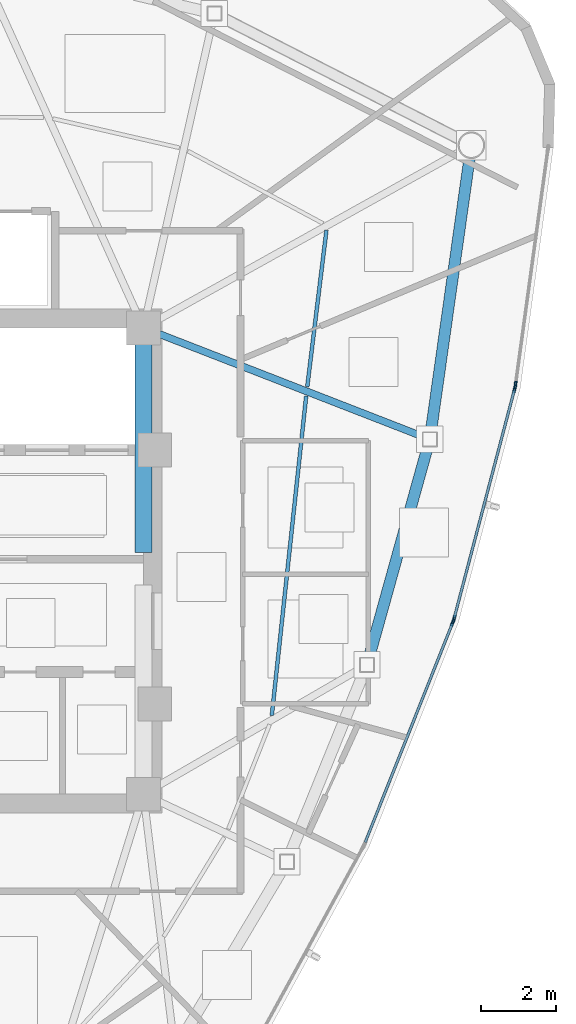
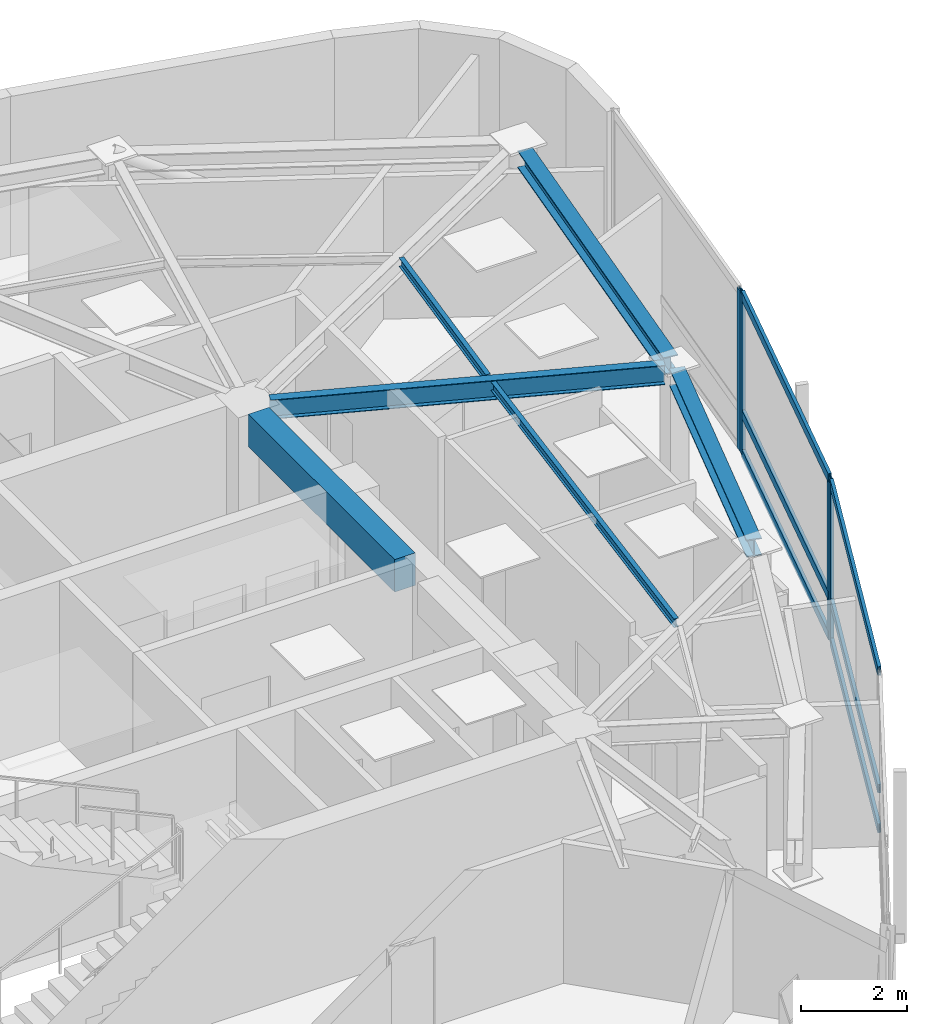
# One storey, part 4 of 12: 10 members, 6 beams, 3 elements without a shape of their own.
"""IFC4 building model written with IfcOpenShell, lengths in metres."""

import ifcopenshell
import ifcopenshell.guid

model = None  # the IFC model being written
_history = None  # IfcOwnerHistory: only IFC2X3 demands one
_inside = {}  # id of a spatial element -> (the spatial element, [elements in it])
_under = {}  # id of a project, library or spatial element -> (it, [spatial elements below it])
_declared = {}  # id of a project -> (the project, [libraries it declares])
_typed = {}  # id of a type object -> (the type object, [elements of that type])
_made_of = {}  # id of a material, layer set ... -> (it, [elements and type objects made of it])


def new_model(schema):
    """Start an empty IFC model of exactly this schema.

    Asked for "IFC4X3", IfcOpenShell would pick the latest addendum, in which some entities
    have other attributes; the version numbers below select the first issue.
    IFC2X3 requires an IfcOwnerHistory on every rooted entity: one is made here for all.
    """
    global model, _history
    if schema == "IFC4X3":
        model = ifcopenshell.file(schema_version=(4, 3, 0, 0))
    else:
        model = ifcopenshell.file(schema=schema)
    _inside.clear()
    _under.clear()
    _declared.clear()
    _typed.clear()
    _made_of.clear()
    _history = None
    if model.schema == "IFC2X3":
        org = make("IfcOrganization", Name="unknown")
        user = make(
            "IfcPersonAndOrganization",
            ThePerson=make("IfcPerson", FamilyName="unknown"),
            TheOrganization=org,
        )
        app = make(
            "IfcApplication",
            ApplicationDeveloper=org,
            Version="unknown",
            ApplicationFullName="unknown",
            ApplicationIdentifier="unknown",
        )
        _history = make(
            "IfcOwnerHistory",
            OwningUser=user,
            OwningApplication=app,
            ChangeAction="ADDED",
            CreationDate=0,
        )
    return model


def make(cls, **values):
    """One entity of the class cls with the attributes given. An attribute that is None is left unset."""
    return model.create_entity(
        cls, **{name: value for name, value in values.items() if value is not None}
    )


def rooted(cls, **values):
    """An entity with a GlobalId (a new one), such as an element, a storey or a relation."""
    return make(cls, GlobalId=ifcopenshell.guid.new(), OwnerHistory=_history, **values)


def si_unit(unit_type, name, prefix=None):
    """IfcSIUnit, for example si_unit("LENGTHUNIT", "METRE", prefix="MILLI")."""
    return make("IfcSIUnit", UnitType=unit_type, Prefix=prefix, Name=name)


def assignment(units):
    """IfcUnitAssignment: the units of a project."""
    return None if units is None else make("IfcUnitAssignment", Units=units)


def point(xyz):
    """IfcCartesianPoint."""
    return None if xyz is None else make("IfcCartesianPoint", Coordinates=xyz)


def direction(xyz):
    """IfcDirection."""
    return None if xyz is None else make("IfcDirection", DirectionRatios=xyz)


def frame(location, z_axis=None, x_axis=None):
    """IfcAxis2Placement3D, a coordinate frame: its origin and axes. An axis left out is left unset."""
    return make(
        "IfcAxis2Placement3D",
        Location=point(location),
        Axis=direction(z_axis),
        RefDirection=direction(x_axis),
    )


def frame_2d(location, x_axis=None):
    """IfcAxis2Placement2D, a coordinate frame in the plane: its origin and x axis."""
    return make(
        "IfcAxis2Placement2D", Location=point(location), RefDirection=direction(x_axis)
    )


def origin():
    """The frame at (0, 0, 0) with its axes left unset."""
    return frame((0.0, 0.0, 0.0))


def origin_2d():
    """The frame at (0, 0) in the plane with its x axis left unset."""
    return frame_2d((0.0, 0.0))


def place(relative_to, where):
    """IfcLocalPlacement: puts the frame where relative to a parent placement (None: the world)."""
    return make(
        "IfcLocalPlacement", PlacementRelTo=relative_to, RelativePlacement=where
    )


def context(
    kind, dimensions, precision=None, world=None, true_north=None, identifier=None
):
    """IfcGeometricRepresentationContext, for example the 3D "Model" context."""
    return make(
        "IfcGeometricRepresentationContext",
        ContextIdentifier=identifier,
        ContextType=kind,
        CoordinateSpaceDimension=dimensions,
        Precision=precision,
        WorldCoordinateSystem=world,
        TrueNorth=true_north,
    )


def subcontext(parent, identifier, kind, view, scale=None):
    """IfcGeometricRepresentationSubContext, for example "Body" below "Model"."""
    return make(
        "IfcGeometricRepresentationSubContext",
        ContextIdentifier=identifier,
        ContextType=kind,
        ParentContext=parent,
        TargetScale=scale,
        TargetView=view,
    )


def project(units=None, contexts=None):
    """IfcProject with its units and contexts."""
    return rooted(
        "IfcProject",
        Name="project",
        RepresentationContexts=contexts,
        UnitsInContext=assignment(units),
    )


def spatial(cls, under=None, at=None, **own):
    """A site, building, storey or space (cls), placed at a placement, below another one or the project."""
    s = rooted(cls, ObjectPlacement=at, **own)
    if under is not None:
        _under.setdefault(under.id(), (under, []))[1].append(s)
    return s


def profile(cls, at=None, kind="AREA", **sizes):
    """A parametric profile (cls). Its sizes go by their IFC names, for example OverallWidth=200.0."""
    return make(cls, ProfileType=kind, Position=at, **sizes)


def rectangle(**sizes):
    """IfcRectangleProfileDef."""
    return profile("IfcRectangleProfileDef", **sizes)


def hollow_rectangle(**sizes):
    """IfcRectangleHollowProfileDef."""
    return profile("IfcRectangleHollowProfileDef", **sizes)


def i_section(**sizes):
    """IfcIShapeProfileDef."""
    return profile("IfcIShapeProfileDef", **sizes)


def extrude(swept, where, along, depth):
    """IfcExtrudedAreaSolid: the profile swept, set in the frame where, extruded along a direction by depth."""
    return make(
        "IfcExtrudedAreaSolid",
        SweptArea=swept,
        Position=where,
        ExtrudedDirection=direction(along),
        Depth=depth,
    )


def shape(context_of_items, identifier, shape_type, items):
    """IfcShapeRepresentation: the items that make up one representation, for example the "Body"."""
    return make(
        "IfcShapeRepresentation",
        ContextOfItems=context_of_items,
        RepresentationIdentifier=identifier,
        RepresentationType=shape_type,
        Items=items,
    )


def source(mapping_origin, context_of_items, identifier, shape_type, items):
    """IfcRepresentationMap: a shape defined once, which mapped items show again and again."""
    return make(
        "IfcRepresentationMap",
        MappingOrigin=mapping_origin,
        MappedRepresentation=shape(context_of_items, identifier, shape_type, items),
    )


def transform(
    local_origin,
    x_axis=None,
    y_axis=None,
    z_axis=None,
    scale=None,
    scale2=None,
    scale3=None,
    uniform=True,
):
    """IfcCartesianTransformationOperator3D, or its non-uniform kind. x_axis, y_axis, z_axis: its Axis1, 2, 3."""
    if uniform:
        return make(
            "IfcCartesianTransformationOperator3D",
            Axis1=direction(x_axis),
            Axis2=direction(y_axis),
            LocalOrigin=point(local_origin),
            Scale=scale,
            Axis3=direction(z_axis),
        )
    return make(
        "IfcCartesianTransformationOperator3DnonUniform",
        Axis1=direction(x_axis),
        Axis2=direction(y_axis),
        LocalOrigin=point(local_origin),
        Scale=scale,
        Axis3=direction(z_axis),
        Scale2=scale2,
        Scale3=scale3,
    )


def mapped(mapping_source, mapping_target):
    """IfcMappedItem: shows the shape of a source again, moved by a transform."""
    return make(
        "IfcMappedItem", MappingSource=mapping_source, MappingTarget=mapping_target
    )


def material(Name=None, Category=None):
    """IfcMaterial."""
    return make("IfcMaterial", Name=Name, Category=Category)


def layer(
    of_material, thickness, ventilated=None, Name=None, Category=None, Priority=None
):
    """IfcMaterialLayer: one layer of a wall or slab, of a material (None: an air gap)."""
    return make(
        "IfcMaterialLayer",
        Material=of_material,
        LayerThickness=thickness,
        IsVentilated=ventilated,
        Name=Name,
        Category=Category,
        Priority=Priority,
    )


def layer_set(layers, Name=None):
    """IfcMaterialLayerSet."""
    return make("IfcMaterialLayerSet", MaterialLayers=layers, LayerSetName=Name)


def material_profile(
    of_material, cross_section, Name=None, Category=None, Priority=None
):
    """IfcMaterialProfile: a cross section and its material."""
    return make(
        "IfcMaterialProfile",
        Name=Name,
        Material=of_material,
        Profile=cross_section,
        Priority=Priority,
        Category=Category,
    )


def profile_set(profiles, Name=None, composite=None):
    """IfcMaterialProfileSet."""
    return make(
        "IfcMaterialProfileSet",
        Name=Name,
        MaterialProfiles=profiles,
        CompositeProfile=composite,
    )


def made_of(thing, what):
    """Note that an element or type object is made of a material, layer set ...; save() writes the relation."""
    if what is not None:
        _made_of.setdefault(what.id(), (what, []))[1].append(thing)
    return thing


def type_object(cls, material=None, **own):
    """A type object (cls), such as IfcWallType, which elements share."""
    return made_of(rooted(cls, **own), material)


def type_shapes(of_type, sources):
    """Give a type object the sources (RepresentationMaps) that its elements show as mapped items."""
    of_type.RepresentationMaps = sources


def element(
    cls,
    number,
    at=None,
    inside=None,
    cuts=None,
    type_object=None,
    material=None,
    context=None,
    identifier="Body",
    shape_type=None,
    held_by="IfcProductDefinitionShape",
    body=None,
    shapes=None,
    **own,
):
    """One element of the class cls, such as IfcWall. Its Tag is "e" and its number.

    at: its placement. inside: the storey or other place that contains it. cuts: it is an
    opening in that element (IfcRelVoidsElement). A single representation is given by context,
    identifier, shape_type and body (its items); several are given by shapes. held_by: the class
    of the entity that holds the representations. save() writes the other relations.
    """
    e = rooted(cls, Tag="e%d" % number, ObjectPlacement=at, **own)
    if body is not None:
        shapes = [shape(context, identifier, shape_type, body)]
    if shapes is not None:
        e.Representation = make(held_by, Representations=shapes)
    if inside is not None:
        _inside.setdefault(inside.id(), (inside, []))[1].append(e)
    if cuts is not None:
        rooted(
            "IfcRelVoidsElement", RelatingBuildingElement=cuts, RelatedOpeningElement=e
        )
    if type_object is not None:
        _typed.setdefault(type_object.id(), (type_object, []))[1].append(e)
    return made_of(e, material)


def aggregate(whole, parts):
    """IfcRelAggregates: a whole, such as a stair, and the parts it consists of."""
    return rooted("IfcRelAggregates", RelatingObject=whole, RelatedObjects=parts)


def save(model, path):
    """Write the relations noted so far, then the file.

    IfcRelAggregates (storeys below a building ...), IfcRelContainedInSpatialStructure (elements
    in a storey), IfcRelDefinesByType, IfcRelAssociatesMaterial and IfcRelDeclares: one each for
    every whole, place, type object, material and project.
    """
    for whole, parts in _under.values():
        aggregate(whole, parts)
    for where, things in _inside.values():
        rooted(
            "IfcRelContainedInSpatialStructure",
            RelatedElements=things,
            RelatingStructure=where,
        )
    for kind, things in _typed.values():
        rooted("IfcRelDefinesByType", RelatedObjects=things, RelatingType=kind)
    for what, things in _made_of.values():
        rooted("IfcRelAssociatesMaterial", RelatedObjects=things, RelatingMaterial=what)
    for by, libraries in _declared.values():
        rooted("IfcRelDeclares", RelatingContext=by, RelatedDefinitions=libraries)
    model.write(path)


model = new_model("IFC4")

# Units and contexts
model_context = context("Model", 3, precision=1e-05, world=origin(), true_north=direction((0.0, 1.0)))
body_context = subcontext(model_context, "Body", "Model", "MODEL_VIEW")
ifc_project = project(units=[si_unit("LENGTHUNIT", "METRE"), si_unit("AREAUNIT", "SQUARE_METRE"), si_unit("VOLUMEUNIT", "CUBIC_METRE"), si_unit("PLANEANGLEUNIT", "RADIAN"), si_unit("MASSUNIT", "GRAM", prefix="KILO")], contexts=[model_context])

# Site, building, storey
site_placement = place(None, origin())
site = spatial("IfcSite", under=ifc_project, at=site_placement, CompositionType="ELEMENT")
building_placement = place(site_placement, origin())
building = spatial("IfcBuilding", under=site, at=building_placement, Name="Tavelor Broadcast Tower", CompositionType="ELEMENT")
storey_placement = place(building_placement, frame((0.0, 0.0, 317.5)))
storey = spatial("IfcBuildingStorey", under=building, at=storey_placement, Name="L76", CompositionType="ELEMENT", Elevation=317.5)

# Beams
ifc_material_1 = material(Name="Concrete C40/50", Category="concrete")
ifc_material_profile_1 = material_profile(ifc_material_1, rectangle(XDim=0.449951171875, YDim=0.75, at=origin_2d()), Name="RC 450x750")
ifc_profile_set_1 = profile_set([ifc_material_profile_1], Name="Concrete C40/50")
beam_type_1 = type_object("IfcBeamType", Name="Basement Core Trim Beam 450x750", PredefinedType="BEAM", material=ifc_profile_set_1)
beam_1_placement = place(storey_placement, frame((56.60009765625, 45.23193359375, 3.324951171875), z_axis=(0.0, 1.0, 0.0), x_axis=(-1.0, 0.0, 0.0)))
element("IfcBeam", 1, at=beam_1_placement, inside=storey, type_object=beam_type_1, Name="L76 Core East-N Tie Girder", PredefinedType="BEAM", context=body_context, shape_type="SweptSolid", body=[
    extrude(rectangle(XDim=0.449951171875, YDim=0.75, at=origin_2d()), origin(), (0.0, 0.0, 1.0), 5.5361328125),
])
ifc_material_2 = material(Name="Steel S355", Category="steel")
ifc_material_profile_2 = material_profile(ifc_material_2, i_section(OverallWidth=0.10009765625, OverallDepth=0.199951171875, WebThickness=0.005615234375, FlangeThickness=0.008544921875, at=origin_2d()), Name="IPE 200")
ifc_profile_set_2 = profile_set([ifc_material_profile_2], Name="Steel S355")
beam_type_2 = type_object("IfcBeamType", Name="Composite Floor Joist T8 IPE 200", PredefinedType="JOIST", material=ifc_profile_set_2)
beam_2_placement = place(storey_placement, frame((60.01318359375, 40.89111328125, 3.60009765625), z_axis=(0.107016283825, 0.994257268013, 0.0), x_axis=(-0.994257268013, 0.107016283825, 0.0)))
element("IfcBeam", 2, at=beam_2_placement, inside=storey, type_object=beam_type_2, Name="L76 Secondary Composite Floor Joist 11", PredefinedType="JOIST", context=body_context, shape_type="SweptSolid", body=[
    extrude(i_section(OverallWidth=0.10009765625, OverallDepth=0.199951171875, WebThickness=0.005615234375, FlangeThickness=0.008544921875, at=origin_2d()), origin(), (0.0, 0.0, 1.0), 8.5458984375),
])
beam_3_placement = place(storey_placement, frame((60.9560546875, 49.6337890625, 3.60009765625), z_axis=(0.121805765002, 0.992553956021, 0.0), x_axis=(-0.992553956021, 0.121805765002, 0.0)))
element("IfcBeam", 3, at=beam_3_placement, inside=storey, type_object=beam_type_2, Name="L76 Secondary Composite Floor Joist 12", PredefinedType="JOIST", context=body_context, shape_type="SweptSolid", body=[
    extrude(i_section(OverallWidth=0.10009765625, OverallDepth=0.199951171875, WebThickness=0.005615234375, FlangeThickness=0.008544921875, at=origin_2d()), origin(), (0.0, 0.0, 1.0), 4.193115234375),
])
ifc_material_profile_3 = material_profile(ifc_material_2, i_section(OverallWidth=0.300048828125, OverallDepth=0.39990234375, WebThickness=0.013427734375, FlangeThickness=0.02392578125, at=origin_2d()), Name="HEB 400")
ifc_profile_set_3 = profile_set([ifc_material_profile_3], Name="Steel S355")
beam_type_3 = type_object("IfcBeamType", Name="Perimeter Spandrel Beam T8 HEB 400", PredefinedType="SPANDREL", material=ifc_profile_set_3)
beam_4_placement = place(storey_placement, frame((62.59521484375, 42.425537109375, 3.5), z_axis=(0.268372403698, 0.963315240684, 0.0), x_axis=(-0.963315240684, 0.268372403698, 0.0)))
element("IfcBeam", 4, at=beam_4_placement, inside=storey, type_object=beam_type_3, Name="L76 Framed-Tube Ring Spandrel 11", PredefinedType="SPANDREL", context=body_context, shape_type="SweptSolid", body=[
    extrude(i_section(OverallWidth=0.300048828125, OverallDepth=0.39990234375, WebThickness=0.013427734375, FlangeThickness=0.02392578125, at=origin_2d()), origin(), (0.0, 0.0, 1.0), 5.84130859375),
])
beam_5_placement = place(storey_placement, frame((64.2412109375, 48.427490234375, 3.5), z_axis=(0.139963539529, 0.990156658111, 0.0), x_axis=(-0.990156658111, 0.139963539529, 0.0)))
element("IfcBeam", 5, at=beam_5_placement, inside=storey, type_object=beam_type_3, Name="L76 Framed-Tube Ring Spandrel 12", PredefinedType="SPANDREL", context=body_context, shape_type="SweptSolid", body=[
    extrude(i_section(OverallWidth=0.300048828125, OverallDepth=0.39990234375, WebThickness=0.013427734375, FlangeThickness=0.02392578125, at=origin_2d()), origin(), (0.0, 0.0, 1.0), 7.36279296875),
])
ifc_material_profile_4 = material_profile(ifc_material_2, i_section(OverallWidth=0.18994140625, OverallDepth=0.449951171875, WebThickness=0.009521484375, FlangeThickness=0.0146484375, at=origin_2d()), Name="IPE 450")
ifc_profile_set_4 = profile_set([ifc_material_profile_4], Name="Steel S355")
beam_type_4 = type_object("IfcBeamType", Name="Radial Floor Girder T8 IPE 450", PredefinedType="BEAM", material=ifc_profile_set_4)
beam_6_placement = place(storey_placement, frame((57.002685546875, 51.04345703125, 3.47509765625), z_axis=(0.931931795654, -0.362633600552, 0.0), x_axis=(0.362633600552, 0.931931795654, 0.0)))
element("IfcBeam", 6, at=beam_6_placement, inside=storey, type_object=beam_type_4, Name="L76 Radial Primary Floor Girder 12", PredefinedType="BEAM", context=body_context, shape_type="SweptSolid", body=[
    extrude(i_section(OverallWidth=0.18994140625, OverallDepth=0.449951171875, WebThickness=0.009521484375, FlangeThickness=0.0146484375, at=origin_2d()), origin(), (0.0, 0.0, 1.0), 7.54638671875),
])

# Curtain wall, member
ifc_material_3 = material(Name="Architectural Anodized Aluminium", Category="aluminium")
ifc_layer = layer(ifc_material_3, 0.199951171875)
ifc_layer_set = layer_set([ifc_layer], Name="Architectural Anodized Aluminium")
curtain_wall_type = type_object("IfcCurtainWallType", Name="Tower High-Zone Triple-Glazed Curtain Wall CW04", PredefinedType="NOTDEFINED", material=ifc_layer_set)
curtain_wall_1_placement = place(storey_placement, origin())
curtain_wall_1 = element("IfcCurtainWall", 7, at=curtain_wall_1_placement, inside=storey, type_object=curtain_wall_type, Name="L76 Curtain Wall CW04 Run 846", PredefinedType="NOTDEFINED")
ifc_material_profile_5 = material_profile(ifc_material_3, hollow_rectangle(XDim=0.070068359375, YDim=0.199951171875, WallThickness=0.02197265625, at=origin_2d()), Name="RHS 70x200x22")
ifc_profile_set_5 = profile_set([ifc_material_profile_5], Name="Architectural Anodized Aluminium")
member_type_1 = type_object("IfcMemberType", Name="CW04 Extruded Aluminium Mullion 70x200", PredefinedType="MULLION", material=ifc_profile_set_5)
shared_shape_1 = source(origin(), body_context, "Body", "SweptSolid", [
    extrude(hollow_rectangle(XDim=0.070068359375, YDim=0.199951171875, WallThickness=0.02197265625, at=origin_2d()), origin(), (0.0, 0.0, 1.0), 3.699951171875),
])
type_shapes(member_type_1, [shared_shape_1])
member_1_placement = place(storey_placement, frame((64.825927734375, 43.36669921875, 0.0), z_axis=(0.0, 0.0, 1.0), x_axis=(-0.928972679603, 0.370148295351, 0.0)))
member_1 = element("IfcMember", 8, at=member_1_placement, type_object=member_type_1, Name="CW04 mullion 2", PredefinedType="MULLION", context=body_context, shape_type="MappedRepresentation", body=[
    mapped(shared_shape_1, transform((0.0, 0.0, 0.0), scale=1.0)),
])

# Curtain wall, members
curtain_wall_2_placement = place(storey_placement, origin())
curtain_wall_2 = element("IfcCurtainWall", 9, at=curtain_wall_2_placement, inside=storey, type_object=curtain_wall_type, Name="L76 Curtain Wall CW04 Run 847", PredefinedType="NOTDEFINED")
member_2_placement = place(storey_placement, frame((64.857421875, 43.46142578125, 0.0), z_axis=(0.0, 0.0, 1.0), x_axis=(-0.966939594417, 0.255005530818, 0.0)))
member_2 = element("IfcMember", 10, at=member_2_placement, type_object=member_type_1, Name="CW04 mullion 1", PredefinedType="MULLION", context=body_context, shape_type="MappedRepresentation", body=[
    mapped(shared_shape_1, transform((0.0, 0.0, 0.0), scale=1.0)),
])
member_3_placement = place(storey_placement, frame((66.471435546875, 49.581787109375, 0.0), z_axis=(0.0, 0.0, 1.0), x_axis=(-0.966939594417, 0.255005530818, 0.0)))
member_3 = element("IfcMember", 11, at=member_3_placement, type_object=member_type_1, Name="CW04 mullion 2", PredefinedType="MULLION", context=body_context, shape_type="MappedRepresentation", body=[
    mapped(shared_shape_1, transform((0.0, 0.0, 0.0), scale=1.0)),
])

# Curtain wall, member
curtain_wall_3_placement = place(storey_placement, origin())
curtain_wall_3 = element("IfcCurtainWall", 12, at=curtain_wall_3_placement, inside=storey, type_object=curtain_wall_type, Name="L76 Curtain Wall CW04 Run 848", PredefinedType="NOTDEFINED")
member_4_placement = place(storey_placement, frame((66.490966796875, 49.6796875, 0.0), z_axis=(0.0, 0.0, 1.0), x_axis=(-0.990689538347, 0.136140510537, 0.0)))
member_4 = element("IfcMember", 13, at=member_4_placement, type_object=member_type_1, Name="CW04 mullion 1", PredefinedType="MULLION", context=body_context, shape_type="MappedRepresentation", body=[
    mapped(shared_shape_1, transform((0.0, 0.0, 0.0), scale=1.0)),
])
aggregate(curtain_wall_3, [member_4])

# Member
ifc_material_profile_6 = material_profile(ifc_material_3, hollow_rectangle(XDim=0.070068359375, YDim=0.199951171875, WallThickness=0.02197265625, at=origin_2d()), Name="RHS 70x200x22")
ifc_profile_set_6 = profile_set([ifc_material_profile_6], Name="Architectural Anodized Aluminium")
member_type_2 = type_object("IfcMemberType", Name="CW04 Extruded Aluminium Transom 70x200", PredefinedType="USERDEFINED", material=ifc_profile_set_6)
shared_shape_2 = source(origin(), body_context, "Body", "SweptSolid", [
    extrude(hollow_rectangle(XDim=0.070068359375, YDim=0.199951171875, WallThickness=0.02197265625, at=origin_2d()), origin(), (0.0, 0.0, 1.0), 6.25927734375),
])
member_5_placement = place(storey_placement, frame((62.49609375, 37.51953125, 0.034912109375), z_axis=(0.370152961545, 0.928970820349, 0.0), x_axis=(-0.928970820349, 0.370152961545, 0.0)))
member_5 = element("IfcMember", 14, at=member_5_placement, type_object=member_type_2, Name="CW04 transom 1.1", ObjectType="TRANSOM", PredefinedType="USERDEFINED", context=body_context, shape_type="MappedRepresentation", body=[
    mapped(shared_shape_2, transform((0.0, 0.0, 0.0), scale=1.0)),
])

member_6_placement = place(storey_placement, frame((62.49609375, 37.51953125, 0.949951171875), z_axis=(0.370152961545, 0.928970820349, 0.0), x_axis=(-0.928970820349, 0.370152961545, 0.0)))
member_6 = element("IfcMember", 15, at=member_6_placement, type_object=member_type_2, Name="CW04 transom 1.2", ObjectType="TRANSOM", PredefinedType="USERDEFINED", context=body_context, shape_type="MappedRepresentation", body=[
    mapped(shared_shape_2, transform((0.0, 0.0, 0.0), scale=1.0)),
])

member_7_placement = place(storey_placement, frame((62.49609375, 37.51953125, 3.6650390625), z_axis=(0.370152961545, 0.928970820349, 0.0), x_axis=(-0.928970820349, 0.370152961545, 0.0)))
member_7 = element("IfcMember", 16, at=member_7_placement, type_object=member_type_2, Name="CW04 transom 1.3", ObjectType="TRANSOM", PredefinedType="USERDEFINED", context=body_context, shape_type="MappedRepresentation", body=[
    mapped(shared_shape_2, transform((0.0, 0.0, 0.0), scale=1.0)),
])

aggregate(curtain_wall_1, [member_1, member_5, member_6, member_7])

shared_shape_3 = source(origin(), body_context, "Body", "SweptSolid", [
    extrude(hollow_rectangle(XDim=0.070068359375, YDim=0.199951171875, WallThickness=0.02197265625, at=origin_2d()), origin(), (0.0, 0.0, 1.0), 6.259521484375),
])
type_shapes(member_type_2, [shared_shape_2, shared_shape_3])
member_8_placement = place(storey_placement, frame((64.8662109375, 43.495361328125, 0.034912109375), z_axis=(0.255005868503, 0.966939505362, 0.0), x_axis=(-0.966939505362, 0.255005868503, 0.0)))
member_8 = element("IfcMember", 17, at=member_8_placement, type_object=member_type_2, Name="CW04 transom 1.1", ObjectType="TRANSOM", PredefinedType="USERDEFINED", context=body_context, shape_type="MappedRepresentation", body=[
    mapped(shared_shape_3, transform((0.0, 0.0, 0.0), scale=1.0)),
])

member_9_placement = place(storey_placement, frame((64.8662109375, 43.495361328125, 0.949951171875), z_axis=(0.255005868503, 0.966939505362, 0.0), x_axis=(-0.966939505362, 0.255005868503, 0.0)))
member_9 = element("IfcMember", 18, at=member_9_placement, type_object=member_type_2, Name="CW04 transom 1.2", ObjectType="TRANSOM", PredefinedType="USERDEFINED", context=body_context, shape_type="MappedRepresentation", body=[
    mapped(shared_shape_3, transform((0.0, 0.0, 0.0), scale=1.0)),
])

member_10_placement = place(storey_placement, frame((64.8662109375, 43.495361328125, 3.6650390625), z_axis=(0.255005868503, 0.966939505362, 0.0), x_axis=(-0.966939505362, 0.255005868503, 0.0)))
member_10 = element("IfcMember", 19, at=member_10_placement, type_object=member_type_2, Name="CW04 transom 1.3", ObjectType="TRANSOM", PredefinedType="USERDEFINED", context=body_context, shape_type="MappedRepresentation", body=[
    mapped(shared_shape_3, transform((0.0, 0.0, 0.0), scale=1.0)),
])

aggregate(curtain_wall_2, [member_2, member_3, member_8, member_9, member_10])

save(model, "model.ifc")
